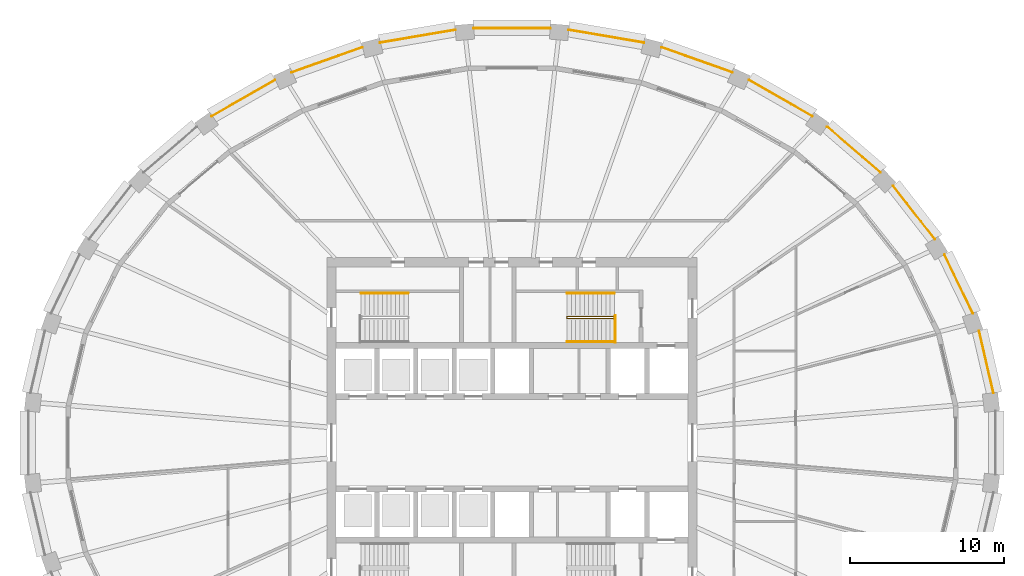
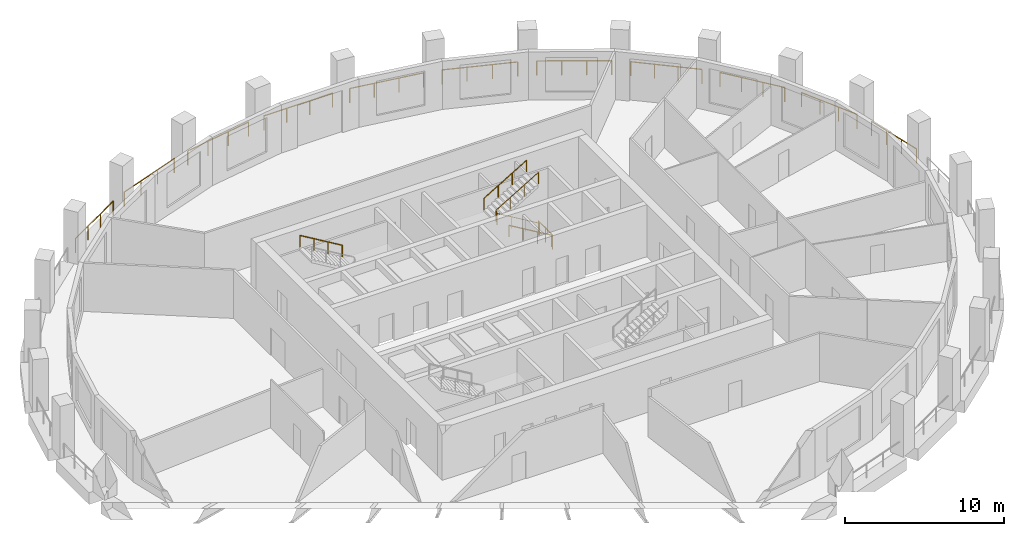
# One storey, part 10 of 11: 16 railings.
"""IFC4 building model written with IfcOpenShell, lengths in metres."""

import ifcopenshell
import ifcopenshell.guid

model = None  # the IFC model being written
_history = None  # IfcOwnerHistory: only IFC2X3 demands one
_inside = {}  # id of a spatial element -> (the spatial element, [elements in it])
_under = {}  # id of a project, library or spatial element -> (it, [spatial elements below it])
_declared = {}  # id of a project -> (the project, [libraries it declares])
_typed = {}  # id of a type object -> (the type object, [elements of that type])
_made_of = {}  # id of a material, layer set ... -> (it, [elements and type objects made of it])


def new_model(schema):
    """Start an empty IFC model of exactly this schema.

    Asked for "IFC4X3", IfcOpenShell would pick the latest addendum, in which some entities
    have other attributes; the version numbers below select the first issue.
    IFC2X3 requires an IfcOwnerHistory on every rooted entity: one is made here for all.
    """
    global model, _history
    if schema == "IFC4X3":
        model = ifcopenshell.file(schema_version=(4, 3, 0, 0))
    else:
        model = ifcopenshell.file(schema=schema)
    _inside.clear()
    _under.clear()
    _declared.clear()
    _typed.clear()
    _made_of.clear()
    _history = None
    if model.schema == "IFC2X3":
        org = make("IfcOrganization", Name="unknown")
        user = make(
            "IfcPersonAndOrganization",
            ThePerson=make("IfcPerson", FamilyName="unknown"),
            TheOrganization=org,
        )
        app = make(
            "IfcApplication",
            ApplicationDeveloper=org,
            Version="unknown",
            ApplicationFullName="unknown",
            ApplicationIdentifier="unknown",
        )
        _history = make(
            "IfcOwnerHistory",
            OwningUser=user,
            OwningApplication=app,
            ChangeAction="ADDED",
            CreationDate=0,
        )
    return model


def make(cls, **values):
    """One entity of the class cls with the attributes given. An attribute that is None is left unset."""
    return model.create_entity(
        cls, **{name: value for name, value in values.items() if value is not None}
    )


def rooted(cls, **values):
    """An entity with a GlobalId (a new one), such as an element, a storey or a relation."""
    return make(cls, GlobalId=ifcopenshell.guid.new(), OwnerHistory=_history, **values)


def si_unit(unit_type, name, prefix=None):
    """IfcSIUnit, for example si_unit("LENGTHUNIT", "METRE", prefix="MILLI")."""
    return make("IfcSIUnit", UnitType=unit_type, Prefix=prefix, Name=name)


def assignment(units):
    """IfcUnitAssignment: the units of a project."""
    return None if units is None else make("IfcUnitAssignment", Units=units)


def point(xyz):
    """IfcCartesianPoint."""
    return None if xyz is None else make("IfcCartesianPoint", Coordinates=xyz)


def direction(xyz):
    """IfcDirection."""
    return None if xyz is None else make("IfcDirection", DirectionRatios=xyz)


def frame(location, z_axis=None, x_axis=None):
    """IfcAxis2Placement3D, a coordinate frame: its origin and axes. An axis left out is left unset."""
    return make(
        "IfcAxis2Placement3D",
        Location=point(location),
        Axis=direction(z_axis),
        RefDirection=direction(x_axis),
    )


def frame_2d(location, x_axis=None):
    """IfcAxis2Placement2D, a coordinate frame in the plane: its origin and x axis."""
    return make(
        "IfcAxis2Placement2D", Location=point(location), RefDirection=direction(x_axis)
    )


def origin():
    """The frame at (0, 0, 0) with its axes left unset."""
    return frame((0.0, 0.0, 0.0))


def origin_2d():
    """The frame at (0, 0) in the plane with its x axis left unset."""
    return frame_2d((0.0, 0.0))


def place(relative_to, where):
    """IfcLocalPlacement: puts the frame where relative to a parent placement (None: the world)."""
    return make(
        "IfcLocalPlacement", PlacementRelTo=relative_to, RelativePlacement=where
    )


def context(
    kind, dimensions, precision=None, world=None, true_north=None, identifier=None
):
    """IfcGeometricRepresentationContext, for example the 3D "Model" context."""
    return make(
        "IfcGeometricRepresentationContext",
        ContextIdentifier=identifier,
        ContextType=kind,
        CoordinateSpaceDimension=dimensions,
        Precision=precision,
        WorldCoordinateSystem=world,
        TrueNorth=true_north,
    )


def subcontext(parent, identifier, kind, view, scale=None):
    """IfcGeometricRepresentationSubContext, for example "Body" below "Model"."""
    return make(
        "IfcGeometricRepresentationSubContext",
        ContextIdentifier=identifier,
        ContextType=kind,
        ParentContext=parent,
        TargetScale=scale,
        TargetView=view,
    )


def project(units=None, contexts=None):
    """IfcProject with its units and contexts."""
    return rooted(
        "IfcProject",
        Name="project",
        RepresentationContexts=contexts,
        UnitsInContext=assignment(units),
    )


def spatial(cls, under=None, at=None, **own):
    """A site, building, storey or space (cls), placed at a placement, below another one or the project."""
    s = rooted(cls, ObjectPlacement=at, **own)
    if under is not None:
        _under.setdefault(under.id(), (under, []))[1].append(s)
    return s


def profile(cls, at=None, kind="AREA", **sizes):
    """A parametric profile (cls). Its sizes go by their IFC names, for example OverallWidth=200.0."""
    return make(cls, ProfileType=kind, Position=at, **sizes)


def circle(**sizes):
    """IfcCircleProfileDef."""
    return profile("IfcCircleProfileDef", **sizes)


def extrude(swept, where, along, depth):
    """IfcExtrudedAreaSolid: the profile swept, set in the frame where, extruded along a direction by depth."""
    return make(
        "IfcExtrudedAreaSolid",
        SweptArea=swept,
        Position=where,
        ExtrudedDirection=direction(along),
        Depth=depth,
    )


def shape(context_of_items, identifier, shape_type, items):
    """IfcShapeRepresentation: the items that make up one representation, for example the "Body"."""
    return make(
        "IfcShapeRepresentation",
        ContextOfItems=context_of_items,
        RepresentationIdentifier=identifier,
        RepresentationType=shape_type,
        Items=items,
    )


def material(Name=None, Category=None):
    """IfcMaterial."""
    return make("IfcMaterial", Name=Name, Category=Category)


def made_of(thing, what):
    """Note that an element or type object is made of a material, layer set ...; save() writes the relation."""
    if what is not None:
        _made_of.setdefault(what.id(), (what, []))[1].append(thing)
    return thing


def type_object(cls, material=None, **own):
    """A type object (cls), such as IfcWallType, which elements share."""
    return made_of(rooted(cls, **own), material)


def element(
    cls,
    number,
    at=None,
    inside=None,
    cuts=None,
    type_object=None,
    material=None,
    context=None,
    identifier="Body",
    shape_type=None,
    held_by="IfcProductDefinitionShape",
    body=None,
    shapes=None,
    **own,
):
    """One element of the class cls, such as IfcWall. Its Tag is "e" and its number.

    at: its placement. inside: the storey or other place that contains it. cuts: it is an
    opening in that element (IfcRelVoidsElement). A single representation is given by context,
    identifier, shape_type and body (its items); several are given by shapes. held_by: the class
    of the entity that holds the representations. save() writes the other relations.
    """
    e = rooted(cls, Tag="e%d" % number, ObjectPlacement=at, **own)
    if body is not None:
        shapes = [shape(context, identifier, shape_type, body)]
    if shapes is not None:
        e.Representation = make(held_by, Representations=shapes)
    if inside is not None:
        _inside.setdefault(inside.id(), (inside, []))[1].append(e)
    if cuts is not None:
        rooted(
            "IfcRelVoidsElement", RelatingBuildingElement=cuts, RelatedOpeningElement=e
        )
    if type_object is not None:
        _typed.setdefault(type_object.id(), (type_object, []))[1].append(e)
    return made_of(e, material)


def aggregate(whole, parts):
    """IfcRelAggregates: a whole, such as a stair, and the parts it consists of."""
    return rooted("IfcRelAggregates", RelatingObject=whole, RelatedObjects=parts)


def save(model, path):
    """Write the relations noted so far, then the file.

    IfcRelAggregates (storeys below a building ...), IfcRelContainedInSpatialStructure (elements
    in a storey), IfcRelDefinesByType, IfcRelAssociatesMaterial and IfcRelDeclares: one each for
    every whole, place, type object, material and project.
    """
    for whole, parts in _under.values():
        aggregate(whole, parts)
    for where, things in _inside.values():
        rooted(
            "IfcRelContainedInSpatialStructure",
            RelatedElements=things,
            RelatingStructure=where,
        )
    for kind, things in _typed.values():
        rooted("IfcRelDefinesByType", RelatedObjects=things, RelatingType=kind)
    for what, things in _made_of.values():
        rooted("IfcRelAssociatesMaterial", RelatedObjects=things, RelatingMaterial=what)
    for by, libraries in _declared.values():
        rooted("IfcRelDeclares", RelatingContext=by, RelatedDefinitions=libraries)
    model.write(path)


model = new_model("IFC4")

# Units and contexts
model_context = context("Model", 3, precision=1e-05, world=origin(), true_north=direction((0.0, 1.0)))
body_context = subcontext(model_context, "Body", "Model", "MODEL_VIEW")
ifc_project = project(units=[si_unit("LENGTHUNIT", "METRE"), si_unit("AREAUNIT", "SQUARE_METRE"), si_unit("VOLUMEUNIT", "CUBIC_METRE"), si_unit("PLANEANGLEUNIT", "RADIAN"), si_unit("MASSUNIT", "GRAM", prefix="KILO")], contexts=[model_context])

# Site, building, storey
site_placement = place(None, origin())
site = spatial("IfcSite", under=ifc_project, at=site_placement, CompositionType="ELEMENT")
building_placement = place(site_placement, origin())
building = spatial("IfcBuilding", under=site, at=building_placement, Name="Halqa Exchange Tower", CompositionType="ELEMENT")
storey_placement = place(building_placement, frame((0.0, 0.0, 234.89990234375)))
storey = spatial("IfcBuildingStorey", under=building, at=storey_placement, Name="L54", CompositionType="ELEMENT", Elevation=234.89990234375)

# Railings
ifc_material = material(Name="Stainless steel", Category="steel")
railing_type_1 = type_object("IfcRailingType", Name="Guard 1100 stainless steel", PredefinedType="GUARDRAIL", material=ifc_material)
railing_1_placement = place(storey_placement, frame((31.21826171875, 3.2314453125, 0.0)))
element("IfcRailing", 1, at=railing_1_placement, inside=storey, type_object=railing_type_1, Name="Loggia guard 1", PredefinedType="GUARDRAIL", context=body_context, shape_type="SweptSolid", body=[
    extrude(circle(Radius=0.02392578125, at=origin_2d()), frame((0.0, 0.0, 1.076171875), z_axis=(-0.226046573137, 0.974116495483, 0.0), x_axis=(-0.974116495483, -0.226046573137, 0.0)), (0.0, 0.0, 1.0), 4.130126953125),
    extrude(circle(Radius=0.02099609375, at=origin_2d()), origin(), (0.0, 0.0, 1.0), 1.052001953125),
    extrude(circle(Radius=0.02099609375, at=origin_2d()), frame((-0.311279296875, 1.341064453125, 0.0)), (0.0, 0.0, 1.0), 1.052001953125),
    extrude(circle(Radius=0.02099609375, at=origin_2d()), frame((-0.622314453125, 2.68212890625, 0.0)), (0.0, 0.0, 1.0), 1.052001953125),
    extrude(circle(Radius=0.02099609375, at=origin_2d()), frame((-0.93359375, 4.023193359375, 0.0)), (0.0, 0.0, 1.0), 1.052001953125),
])
railing_2_placement = place(storey_placement, frame((29.887939453125, 8.37939453125, 0.0)))
element("IfcRailing", 2, at=railing_2_placement, inside=storey, type_object=railing_type_1, Name="Loggia guard 2", PredefinedType="GUARDRAIL", context=body_context, shape_type="SweptSolid", body=[
    extrude(circle(Radius=0.02392578125, at=origin_2d()), frame((0.0, 0.0, 1.076171875), z_axis=(-0.435150734019, 0.900357617107, 0.0), x_axis=(-0.900357617107, -0.435150734019, 0.0)), (0.0, 0.0, 1.0), 4.23193359375),
    extrude(circle(Radius=0.02099609375, at=origin_2d()), origin(), (0.0, 0.0, 1.0), 1.052001953125),
    extrude(circle(Radius=0.02099609375, at=origin_2d()), frame((-0.61376953125, 1.27001953125, 0.0)), (0.0, 0.0, 1.0), 1.052001953125),
    extrude(circle(Radius=0.02099609375, at=origin_2d()), frame((-1.227783203125, 2.540283203125, 0.0)), (0.0, 0.0, 1.0), 1.052001953125),
    extrude(circle(Radius=0.02099609375, at=origin_2d()), frame((-1.841552734375, 3.810302734375, 0.0)), (0.0, 0.0, 1.0), 1.052001953125),
])
railing_3_placement = place(storey_placement, frame((27.41650390625, 13.203125, 0.0)))
element("IfcRailing", 3, at=railing_3_placement, inside=storey, type_object=railing_type_1, Name="Loggia guard 3", PredefinedType="GUARDRAIL", context=body_context, shape_type="SweptSolid", body=[
    extrude(circle(Radius=0.02392578125, at=origin_2d()), frame((0.0, 0.0, 1.076171875), z_axis=(-0.614812118362, 0.788673607467, 0.0), x_axis=(-0.788673607467, -0.614812118362, 0.0)), (0.0, 0.0, 1.0), 4.381103515625),
    extrude(circle(Radius=0.02099609375, at=origin_2d()), origin(), (0.0, 0.0, 1.0), 1.052001953125),
    extrude(circle(Radius=0.02099609375, at=origin_2d()), frame((-0.89794921875, 1.15185546875, 0.0)), (0.0, 0.0, 1.0), 1.052001953125),
    extrude(circle(Radius=0.02099609375, at=origin_2d()), frame((-1.795654296875, 2.303466796875, 0.0)), (0.0, 0.0, 1.0), 1.052001953125),
    extrude(circle(Radius=0.02099609375, at=origin_2d()), frame((-2.693603515625, 3.455322265625, 0.0)), (0.0, 0.0, 1.0), 1.052001953125),
])
railing_4_placement = place(storey_placement, frame((23.898681640625, 17.522216796875, 0.0)))
element("IfcRailing", 4, at=railing_4_placement, inside=storey, type_object=railing_type_1, Name="Loggia guard 4", PredefinedType="GUARDRAIL", context=body_context, shape_type="SweptSolid", body=[
    extrude(circle(Radius=0.02392578125, at=origin_2d()), frame((0.0, 0.0, 1.076171875), z_axis=(-0.759271745383, 0.650773706186, 0.0), x_axis=(-0.650773706186, -0.759271745383, 0.0)), (0.0, 0.0, 1.0), 4.552001953125),
    extrude(circle(Radius=0.02099609375, at=origin_2d()), origin(), (0.0, 0.0, 1.0), 1.052001953125),
    extrude(circle(Radius=0.02099609375, at=origin_2d()), frame((-1.152099609375, 0.987548828125, 0.0)), (0.0, 0.0, 1.0), 1.052001953125),
    extrude(circle(Radius=0.02099609375, at=origin_2d()), frame((-2.30419921875, 1.974853515625, 0.0)), (0.0, 0.0, 1.0), 1.052001953125),
    extrude(circle(Radius=0.02099609375, at=origin_2d()), frame((-3.456298828125, 2.96240234375, 0.0)), (0.0, 0.0, 1.0), 1.052001953125),
])
railing_5_placement = place(storey_placement, frame((19.46630859375, 21.173095703125, 0.0)))
element("IfcRailing", 5, at=railing_5_placement, inside=storey, type_object=railing_type_1, Name="Loggia guard 5", PredefinedType="GUARDRAIL", context=body_context, shape_type="SweptSolid", body=[
    extrude(circle(Radius=0.02392578125, at=origin_2d()), frame((0.0, 0.0, 1.076171875), z_axis=(-0.867758688051, 0.496985773752, 0.0), x_axis=(-0.496985773752, -0.867758688051, 0.0)), (0.0, 0.0, 1.0), 4.7177734375),
    extrude(circle(Radius=0.02099609375, at=origin_2d()), origin(), (0.0, 0.0, 1.0), 1.052001953125),
    extrude(circle(Radius=0.02099609375, at=origin_2d()), frame((-1.36474609375, 0.781494140625, 0.0)), (0.0, 0.0, 1.0), 1.052001953125),
    extrude(circle(Radius=0.02099609375, at=origin_2d()), frame((-2.729248046875, 1.563232421875, 0.0)), (0.0, 0.0, 1.0), 1.052001953125),
    extrude(circle(Radius=0.02099609375, at=origin_2d()), frame((-4.093994140625, 2.3447265625, 0.0)), (0.0, 0.0, 1.0), 1.052001953125),
])
railing_6_placement = place(storey_placement, frame((14.2861328125, 24.016845703125, 0.0)))
element("IfcRailing", 6, at=railing_6_placement, inside=storey, type_object=railing_type_1, Name="Loggia guard 6", PredefinedType="GUARDRAIL", context=body_context, shape_type="SweptSolid", body=[
    extrude(circle(Radius=0.02392578125, at=origin_2d()), frame((0.0, 0.0, 1.076171875), z_axis=(-0.942375076708, 0.334558238278, 0.0), x_axis=(-0.334558238278, -0.942375076708, 0.0)), (0.0, 0.0, 1.0), 4.85498046875),
    extrude(circle(Radius=0.02099609375, at=origin_2d()), origin(), (0.0, 0.0, 1.0), 1.052001953125),
    extrude(circle(Radius=0.02099609375, at=origin_2d()), frame((-1.525146484375, 0.54150390625, 0.0)), (0.0, 0.0, 1.0), 1.052001953125),
    extrude(circle(Radius=0.02099609375, at=origin_2d()), frame((-3.050048828125, 1.082763671875, 0.0)), (0.0, 0.0, 1.0), 1.052001953125),
    extrude(circle(Radius=0.02099609375, at=origin_2d()), frame((-4.5751953125, 1.624267578125, 0.0)), (0.0, 0.0, 1.0), 1.052001953125),
])
railing_7_placement = place(storey_placement, frame((8.55419921875, 25.94287109375, 0.0)))
element("IfcRailing", 7, at=railing_7_placement, inside=storey, type_object=railing_type_1, Name="Loggia guard 7", PredefinedType="GUARDRAIL", context=body_context, shape_type="SweptSolid", body=[
    extrude(circle(Radius=0.02392578125, at=origin_2d()), frame((0.0, 0.0, 1.076171875), z_axis=(-0.985775953547, 0.168064777415, 0.0), x_axis=(-0.168064777415, -0.985775953547, 0.0)), (0.0, 0.0, 1.0), 4.94482421875),
    extrude(circle(Radius=0.02099609375, at=origin_2d()), origin(), (0.0, 0.0, 1.0), 1.052001953125),
    extrude(circle(Radius=0.02099609375, at=origin_2d()), frame((-1.624755859375, 0.277099609375, 0.0)), (0.0, 0.0, 1.0), 1.052001953125),
    extrude(circle(Radius=0.02099609375, at=origin_2d()), frame((-3.249755859375, 0.553955078125, 0.0)), (0.0, 0.0, 1.0), 1.052001953125),
    extrude(circle(Radius=0.02099609375, at=origin_2d()), frame((-4.87451171875, 0.8310546875, 0.0)), (0.0, 0.0, 1.0), 1.052001953125),
])
railing_8_placement = place(storey_placement, frame((2.488037109375, 26.874755859375, 0.0)))
element("IfcRailing", 8, at=railing_8_placement, inside=storey, type_object=railing_type_1, Name="Loggia guard 8", PredefinedType="GUARDRAIL", context=body_context, shape_type="SweptSolid", body=[
    extrude(circle(Radius=0.02392578125, at=origin_2d()), frame((0.0, 0.0, 1.076171875), z_axis=(-1.0, 0.0, 0.0), x_axis=(0.0, -1.0, 0.0)), (0.0, 0.0, 1.0), 4.97607421875),
    extrude(circle(Radius=0.02099609375, at=origin_2d()), origin(), (0.0, 0.0, 1.0), 1.052001953125),
    extrude(circle(Radius=0.02099609375, at=origin_2d()), frame((-1.65869140625, 0.0, 0.0)), (0.0, 0.0, 1.0), 1.052001953125),
    extrude(circle(Radius=0.02099609375, at=origin_2d()), frame((-3.3173828125, 0.0, 0.0)), (0.0, 0.0, 1.0), 1.052001953125),
    extrude(circle(Radius=0.02099609375, at=origin_2d()), frame((-4.97607421875, 0.0, 0.0)), (0.0, 0.0, 1.0), 1.052001953125),
])
railing_9_placement = place(storey_placement, frame((-3.6796875, 26.77392578125, 0.0)))
element("IfcRailing", 9, at=railing_9_placement, inside=storey, type_object=railing_type_1, Name="Loggia guard 9", PredefinedType="GUARDRAIL", context=body_context, shape_type="SweptSolid", body=[
    extrude(circle(Radius=0.02392578125, at=origin_2d()), frame((0.0, 0.0, 1.076171875), z_axis=(-0.985775953547, -0.168064777415, 0.0), x_axis=(0.168064777415, -0.985775953547, 0.0)), (0.0, 0.0, 1.0), 4.94482421875),
    extrude(circle(Radius=0.02099609375, at=origin_2d()), origin(), (0.0, 0.0, 1.0), 1.052001953125),
    extrude(circle(Radius=0.02099609375, at=origin_2d()), frame((-1.624755859375, -0.277099609375, 0.0)), (0.0, 0.0, 1.0), 1.052001953125),
    extrude(circle(Radius=0.02099609375, at=origin_2d()), frame((-3.249755859375, -0.553955078125, 0.0)), (0.0, 0.0, 1.0), 1.052001953125),
    extrude(circle(Radius=0.02099609375, at=origin_2d()), frame((-4.87451171875, -0.8310546875, 0.0)), (0.0, 0.0, 1.0), 1.052001953125),
])
railing_10_placement = place(storey_placement, frame((-9.7109375, 25.64111328125, 0.0)))
element("IfcRailing", 10, at=railing_10_placement, inside=storey, type_object=railing_type_1, Name="Loggia guard 10", PredefinedType="GUARDRAIL", context=body_context, shape_type="SweptSolid", body=[
    extrude(circle(Radius=0.02392578125, at=origin_2d()), frame((0.0, 0.0, 1.076171875), z_axis=(-0.942375076708, -0.334558238278, 0.0), x_axis=(0.334558238278, -0.942375076708, 0.0)), (0.0, 0.0, 1.0), 4.85498046875),
    extrude(circle(Radius=0.02099609375, at=origin_2d()), origin(), (0.0, 0.0, 1.0), 1.052001953125),
    extrude(circle(Radius=0.02099609375, at=origin_2d()), frame((-1.525146484375, -0.54150390625, 0.0)), (0.0, 0.0, 1.0), 1.052001953125),
    extrude(circle(Radius=0.02099609375, at=origin_2d()), frame((-3.050048828125, -1.082763671875, 0.0)), (0.0, 0.0, 1.0), 1.052001953125),
    extrude(circle(Radius=0.02099609375, at=origin_2d()), frame((-4.5751953125, -1.624267578125, 0.0)), (0.0, 0.0, 1.0), 1.052001953125),
])
railing_11_placement = place(storey_placement, frame((-15.372314453125, 23.517822265625, 0.0)))
element("IfcRailing", 11, at=railing_11_placement, inside=storey, type_object=railing_type_1, Name="Loggia guard 11", PredefinedType="GUARDRAIL", context=body_context, shape_type="SweptSolid", body=[
    extrude(circle(Radius=0.02392578125, at=origin_2d()), frame((0.0, 0.0, 1.076171875), z_axis=(-0.867758688051, -0.496985773752, 0.0), x_axis=(0.496985773752, -0.867758688051, 0.0)), (0.0, 0.0, 1.0), 4.7177734375),
    extrude(circle(Radius=0.02099609375, at=origin_2d()), origin(), (0.0, 0.0, 1.0), 1.052001953125),
    extrude(circle(Radius=0.02099609375, at=origin_2d()), frame((-1.36474609375, -0.781494140625, 0.0)), (0.0, 0.0, 1.0), 1.052001953125),
    extrude(circle(Radius=0.02099609375, at=origin_2d()), frame((-2.729248046875, -1.563232421875, 0.0)), (0.0, 0.0, 1.0), 1.052001953125),
    extrude(circle(Radius=0.02099609375, at=origin_2d()), frame((-4.093994140625, -2.3447265625, 0.0)), (0.0, 0.0, 1.0), 1.052001953125),
])
railing_type_2 = type_object("IfcRailingType", Name="Stair handrail 900", PredefinedType="HANDRAIL", material=ifc_material)
railing_12_placement = place(storey_placement, frame((-6.719970703125, 9.699951171875, 2.166748046875)))
element("IfcRailing", 12, at=railing_12_placement, inside=storey, type_object=railing_type_2, Name="Handrail ST1.3", PredefinedType="HANDRAIL", context=body_context, shape_type="SweptSolid", body=[
    extrude(circle(Radius=0.02392578125, at=origin_2d()), frame((0.0, 0.0, 0.8759765625), z_axis=(-0.859308565015, 0.0, 0.511457515432), x_axis=(0.0, -1.0, 0.0)), (0.0, 0.0, 1.0), 3.58447265625),
    extrude(circle(Radius=0.02099609375, at=origin_2d()), origin(), (0.0, 0.0, 1.0), 0.851806640625),
    extrude(circle(Radius=0.02099609375, at=origin_2d()), frame((-1.026611328125, 0.0, 0.611083984375)), (0.0, 0.0, 1.0), 0.851806640625),
    extrude(circle(Radius=0.02099609375, at=origin_2d()), frame((-2.053466796875, 0.0, 1.22216796875)), (0.0, 0.0, 1.0), 0.851806640625),
    extrude(circle(Radius=0.02099609375, at=origin_2d()), frame((-3.080078125, 0.0, 1.833251953125)), (0.0, 0.0, 1.0), 0.851806640625),
])
railing_13_placement = place(storey_placement, frame((6.64990234375, 8.06005859375, 0.166748046875)))
element("IfcRailing", 13, at=railing_13_placement, inside=storey, type_object=railing_type_2, Name="Handrail ST2.1", PredefinedType="HANDRAIL", context=body_context, shape_type="SweptSolid", body=[
    extrude(circle(Radius=0.02392578125, at=origin_2d()), frame((0.0, 0.0, 0.8759765625), z_axis=(-0.859290745958, 0.0, 0.51148745235), x_axis=(0.0, -1.0, 0.0)), (0.0, 0.0, 1.0), 3.584228515625),
    extrude(circle(Radius=0.02392578125, at=origin_2d()), frame((-3.079833984375, 0.0, 2.708984375), z_axis=(0.0, 0.614500226555, 0.788916644243), x_axis=(-1.0, 0.0, 0.0)), (0.0, 0.0, 1.0), 0.21142578125),
    extrude(circle(Radius=0.02392578125, at=origin_2d()), frame((-3.079833984375, 0.1298828125, 2.8759765625), z_axis=(0.859290745958, 0.0, 0.51148745235), x_axis=(0.0, 1.0, 0.0)), (0.0, 0.0, 1.0), 3.584228515625),
    extrude(circle(Radius=0.02099609375, at=origin_2d()), origin(), (0.0, 0.0, 1.0), 0.851806640625),
    extrude(circle(Radius=0.02099609375, at=origin_2d()), frame((-1.026611328125, 0.0, 0.611083984375)), (0.0, 0.0, 1.0), 0.851806640625),
    extrude(circle(Radius=0.02099609375, at=origin_2d()), frame((-2.05322265625, 0.0, 1.22216796875)), (0.0, 0.0, 1.0), 0.851806640625),
    extrude(circle(Radius=0.02099609375, at=origin_2d()), frame((-3.079833984375, 0.0, 1.833251953125)), (0.0, 0.0, 1.0), 0.851806640625),
    extrude(circle(Radius=0.02099609375, at=origin_2d()), frame((-3.079833984375, 0.1298828125, 2.0)), (0.0, 0.0, 1.0), 0.851806640625),
    extrude(circle(Radius=0.02099609375, at=origin_2d()), frame((-2.05322265625, 0.1298828125, 2.611083984375)), (0.0, 0.0, 1.0), 0.851806640625),
    extrude(circle(Radius=0.02099609375, at=origin_2d()), frame((-1.026611328125, 0.1298828125, 3.22216796875)), (0.0, 0.0, 1.0), 0.851806640625),
    extrude(circle(Radius=0.02099609375, at=origin_2d()), frame((0.0, 0.1298828125, 3.833251953125)), (0.0, 0.0, 1.0), 0.851806640625),
])
railing_14_placement = place(storey_placement, frame((6.64990234375, 6.550048828125, 0.166748046875)))
element("IfcRailing", 14, at=railing_14_placement, inside=storey, type_object=railing_type_2, Name="Handrail ST2.2", PredefinedType="HANDRAIL", context=body_context, shape_type="SweptSolid", body=[
    extrude(circle(Radius=0.02392578125, at=origin_2d()), frame((0.0, 0.0, 0.8759765625), z_axis=(-0.859290745958, 0.0, 0.51148745235), x_axis=(0.0, -1.0, 0.0)), (0.0, 0.0, 1.0), 3.584228515625),
    extrude(circle(Radius=0.02099609375, at=origin_2d()), origin(), (0.0, 0.0, 1.0), 0.851806640625),
    extrude(circle(Radius=0.02099609375, at=origin_2d()), frame((-1.026611328125, 0.0, 0.611083984375)), (0.0, 0.0, 1.0), 0.851806640625),
    extrude(circle(Radius=0.02099609375, at=origin_2d()), frame((-2.05322265625, 0.0, 1.22216796875)), (0.0, 0.0, 1.0), 0.851806640625),
    extrude(circle(Radius=0.02099609375, at=origin_2d()), frame((-3.079833984375, 0.0, 1.833251953125)), (0.0, 0.0, 1.0), 0.851806640625),
])
railing_15_placement = place(storey_placement, frame((3.570068359375, 9.699951171875, 2.166748046875)))
element("IfcRailing", 15, at=railing_15_placement, inside=storey, type_object=railing_type_2, Name="Handrail ST2.3", PredefinedType="HANDRAIL", context=body_context, shape_type="SweptSolid", body=[
    extrude(circle(Radius=0.02392578125, at=origin_2d()), frame((0.0, 0.0, 0.8759765625), z_axis=(0.859290745958, 0.0, 0.51148745235), x_axis=(0.0, 1.0, 0.0)), (0.0, 0.0, 1.0), 3.584228515625),
    extrude(circle(Radius=0.02099609375, at=origin_2d()), origin(), (0.0, 0.0, 1.0), 0.851806640625),
    extrude(circle(Radius=0.02099609375, at=origin_2d()), frame((1.026611328125, 0.0, 0.611083984375)), (0.0, 0.0, 1.0), 0.851806640625),
    extrude(circle(Radius=0.02099609375, at=origin_2d()), frame((2.05322265625, 0.0, 1.22216796875)), (0.0, 0.0, 1.0), 0.851806640625),
    extrude(circle(Radius=0.02099609375, at=origin_2d()), frame((3.079833984375, 0.0, 1.833251953125)), (0.0, 0.0, 1.0), 0.851806640625),
])
railing_type_3 = type_object("IfcRailingType", Name="Stair well guard 1100", PredefinedType="GUARDRAIL", material=ifc_material)
railing_16_placement = place(storey_placement, frame((6.699951171875, 6.5, 0.0)))
element("IfcRailing", 16, at=railing_16_placement, inside=storey, type_object=railing_type_3, Name="Guard ST2 well", PredefinedType="GUARDRAIL", context=body_context, shape_type="SweptSolid", body=[
    extrude(circle(Radius=0.02392578125, at=origin_2d()), frame((0.0, 0.0, 1.076171875), z_axis=(0.0, 1.0, 0.0), x_axis=(-1.0, 0.0, 0.0)), (0.0, 0.0, 1.0), 1.75),
    extrude(circle(Radius=0.02099609375, at=origin_2d()), origin(), (0.0, 0.0, 1.0), 1.052001953125),
    extrude(circle(Radius=0.02099609375, at=origin_2d()), frame((0.0, 0.875, 0.0)), (0.0, 0.0, 1.0), 1.052001953125),
    extrude(circle(Radius=0.02099609375, at=origin_2d()), frame((0.0, 1.75, 0.0)), (0.0, 0.0, 1.0), 1.052001953125),
])

save(model, "model.ifc")
